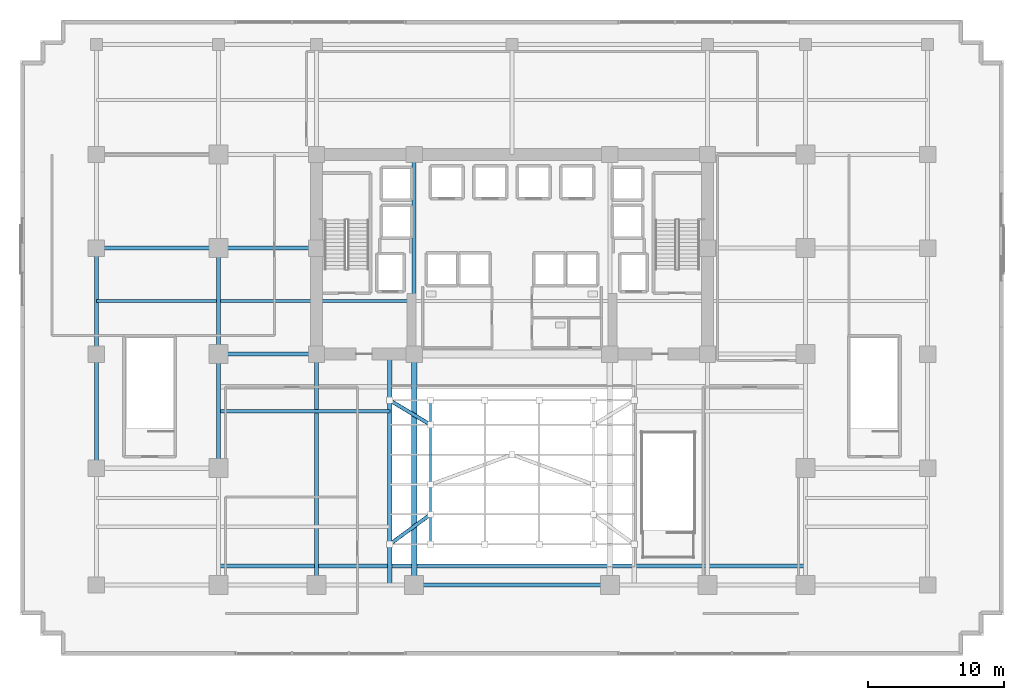
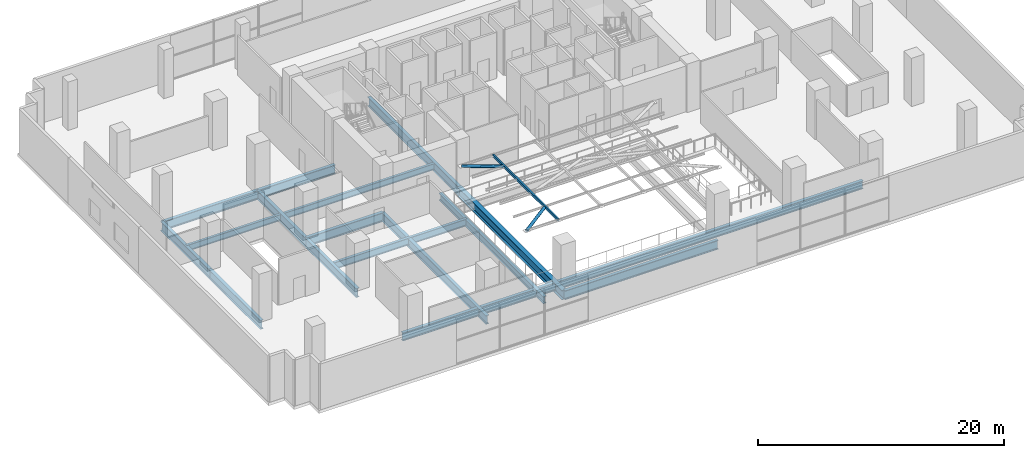
# One storey, part 4 of 22: 16 beams, 3 members.
"""IFC4 building model written with IfcOpenShell, lengths in metres."""

from ifc_helpers import new_model, si_unit, direction, frame, origin, origin_2d, place, context, subcontext, project, spatial, hollow_rectangle, hollow_circle, i_section, extrude, source, transform, mapped, material, material_profile, profile_set, type_object, element, save


model = new_model("IFC4")

# Units and contexts
model_context = context("Model", 3, precision=1e-05, world=origin(), true_north=direction((0.0, 1.0)))
body_context = subcontext(model_context, "Body", "Model", "MODEL_VIEW")
ifc_project = project(units=[si_unit("LENGTHUNIT", "METRE"), si_unit("AREAUNIT", "SQUARE_METRE"), si_unit("VOLUMEUNIT", "CUBIC_METRE"), si_unit("PLANEANGLEUNIT", "RADIAN"), si_unit("MASSUNIT", "GRAM", prefix="KILO")], contexts=[model_context])

# Site, building, storey
site_placement = place(None, origin())
site = spatial("IfcSite", under=ifc_project, at=site_placement, CompositionType="ELEMENT")
building_placement = place(site_placement, origin())
building = spatial("IfcBuilding", under=site, at=building_placement, Name="Zarnakvel Exchange Tower", CompositionType="ELEMENT")
storey_placement = place(building_placement, frame((0.0, 0.0, 22.60009765625)))
storey = spatial("IfcBuildingStorey", under=building, at=storey_placement, Name="L05", CompositionType="ELEMENT", Elevation=22.60009765625)

# Beams
ifc_material = material(Name="Steel S355", Category="steel")
ifc_material_profile_1 = material_profile(ifc_material, i_section(OverallWidth=0.255859375, OverallDepth=0.69287109375, WebThickness=0.014404296875, FlangeThickness=0.023681640625, FilletRadius=0.01513671875, at=origin_2d()))
ifc_profile_set_1 = profile_set([ifc_material_profile_1], Name="Steel S355")
beam_type_1 = type_object("IfcBeamType", Name="B-01", PredefinedType="JOIST", material=ifc_profile_set_1)
beam_1_placement = place(storey_placement, frame((-21.60009765625, -5.39990234375, -0.646484375), z_axis=(1.0, 0.0, 0.0), x_axis=(0.0, 1.0, 0.0)))
element("IfcBeam", 1, at=beam_1_placement, inside=storey, type_object=beam_type_1, Name="L05 Exchange Hall Atrium Trimmer West", PredefinedType="JOIST", context=body_context, shape_type="SweptSolid", body=[
    extrude(i_section(OverallWidth=0.255859375, OverallDepth=0.69287109375, WebThickness=0.014404296875, FlangeThickness=0.023681640625, FilletRadius=0.01513671875, at=origin_2d()), origin(), (0.0, 0.0, 1.0), 12.60009765625),
])
ifc_material_profile_2 = material_profile(ifc_material, i_section(OverallWidth=0.230224609375, OverallDepth=0.6171875, WebThickness=0.01318359375, FlangeThickness=0.022216796875, FilletRadius=0.0126953125, at=origin_2d()))
ifc_profile_set_2 = profile_set([ifc_material_profile_2], Name="Steel S355")
beam_type_2 = type_object("IfcBeamType", Name="B-02", PredefinedType="JOIST", material=ifc_profile_set_2)
beam_2_placement = place(storey_placement, frame((-30.60009765625, 2.699951171875, -0.608642578125), z_axis=(1.0, 0.0, 0.0), x_axis=(0.0, 1.0, 0.0)))
element("IfcBeam", 2, at=beam_2_placement, inside=storey, type_object=beam_type_2, Name="L05 Secondary Floor Joist", PredefinedType="JOIST", context=body_context, shape_type="SweptSolid", body=[
    extrude(i_section(OverallWidth=0.230224609375, OverallDepth=0.6171875, WebThickness=0.01318359375, FlangeThickness=0.022216796875, FilletRadius=0.0126953125, at=origin_2d()), origin(), (0.0, 0.0, 1.0), 8.85009765625),
])
beam_3_placement = place(storey_placement, frame((-21.449951171875, 2.699951171875, -0.608642578125), z_axis=(1.0, 0.0, 0.0), x_axis=(0.0, 1.0, 0.0)))
element("IfcBeam", 3, at=beam_3_placement, inside=storey, type_object=beam_type_2, Name="L05 Secondary Floor Joist", PredefinedType="JOIST", context=body_context, shape_type="SweptSolid", body=[
    extrude(i_section(OverallWidth=0.230224609375, OverallDepth=0.6171875, WebThickness=0.01318359375, FlangeThickness=0.022216796875, FilletRadius=0.0126953125, at=origin_2d()), origin(), (0.0, 0.0, 1.0), 14.099853515625),
])
ifc_material_profile_3 = material_profile(ifc_material, i_section(OverallWidth=0.300048828125, OverallDepth=0.89990234375, WebThickness=0.0185546875, FlangeThickness=0.034912109375, FilletRadius=0.030029296875, at=origin_2d()))
ifc_profile_set_3 = profile_set([ifc_material_profile_3], Name="Steel S355")
beam_type_3 = type_object("IfcBeamType", Name="G-01", PredefinedType="BEAM", material=ifc_profile_set_3)
beam_4_placement = place(storey_placement, frame((-7.199951171875, -18.199951171875, -0.75), z_axis=(1.0, 0.0, 0.0), x_axis=(0.0, 1.0, 0.0)))
element("IfcBeam", 4, at=beam_4_placement, inside=storey, type_object=beam_type_3, Name="L05 Primary E-W Girder Y=-18.2", PredefinedType="BEAM", context=body_context, shape_type="SweptSolid", body=[
    extrude(i_section(OverallWidth=0.300048828125, OverallDepth=0.89990234375, WebThickness=0.0185546875, FlangeThickness=0.034912109375, FilletRadius=0.030029296875, at=origin_2d()), origin(), (0.0, 0.0, 1.0), 14.39990234375),
])
beam_5_placement = place(storey_placement, frame((-21.60009765625, -1.199951171875, -0.75), z_axis=(1.0, 0.0, 0.0), x_axis=(0.0, 1.0, 0.0)))
element("IfcBeam", 5, at=beam_5_placement, inside=storey, type_object=beam_type_3, Name="L05 Primary E-W Girder Y=-1.2", PredefinedType="BEAM", context=body_context, shape_type="SweptSolid", body=[
    extrude(i_section(OverallWidth=0.300048828125, OverallDepth=0.89990234375, WebThickness=0.0185546875, FlangeThickness=0.034912109375, FilletRadius=0.030029296875, at=origin_2d()), origin(), (0.0, 0.0, 1.0), 7.2001953125),
])
beam_6_placement = place(storey_placement, frame((-30.60009765625, 6.60009765625, -0.75), z_axis=(1.0, 0.0, 0.0), x_axis=(0.0, 1.0, 0.0)))
element("IfcBeam", 6, at=beam_6_placement, inside=storey, type_object=beam_type_3, Name="L05 Primary E-W Girder Y=+6.6", PredefinedType="BEAM", context=body_context, shape_type="SweptSolid", body=[
    extrude(i_section(OverallWidth=0.300048828125, OverallDepth=0.89990234375, WebThickness=0.0185546875, FlangeThickness=0.034912109375, FilletRadius=0.030029296875, at=origin_2d()), origin(), (0.0, 0.0, 1.0), 9.0),
])
beam_7_placement = place(storey_placement, frame((-21.60009765625, 6.60009765625, -0.75), z_axis=(1.0, 0.0, 0.0), x_axis=(0.0, 1.0, 0.0)))
element("IfcBeam", 7, at=beam_7_placement, inside=storey, type_object=beam_type_3, Name="L05 Primary E-W Girder Y=+6.6", PredefinedType="BEAM", context=body_context, shape_type="SweptSolid", body=[
    extrude(i_section(OverallWidth=0.300048828125, OverallDepth=0.89990234375, WebThickness=0.0185546875, FlangeThickness=0.034912109375, FilletRadius=0.030029296875, at=origin_2d()), origin(), (0.0, 0.0, 1.0), 7.2001953125),
])
beam_8_placement = place(storey_placement, frame((-30.60009765625, -9.60009765625, -0.75), z_axis=(0.0, 1.0, 0.0), x_axis=(-1.0, 0.0, 0.0)))
element("IfcBeam", 8, at=beam_8_placement, inside=storey, type_object=beam_type_3, Name="L05 Primary N-S Girder X=-30.6", PredefinedType="BEAM", context=body_context, shape_type="SweptSolid", body=[
    extrude(i_section(OverallWidth=0.300048828125, OverallDepth=0.89990234375, WebThickness=0.0185546875, FlangeThickness=0.034912109375, FilletRadius=0.030029296875, at=origin_2d()), origin(), (0.0, 0.0, 1.0), 8.400146484375),
])
beam_9_placement = place(storey_placement, frame((-30.60009765625, -1.199951171875, -0.75), z_axis=(0.0, 1.0, 0.0), x_axis=(-1.0, 0.0, 0.0)))
element("IfcBeam", 9, at=beam_9_placement, inside=storey, type_object=beam_type_3, Name="L05 Primary N-S Girder X=-30.6", PredefinedType="BEAM", context=body_context, shape_type="SweptSolid", body=[
    extrude(i_section(OverallWidth=0.300048828125, OverallDepth=0.89990234375, WebThickness=0.0185546875, FlangeThickness=0.034912109375, FilletRadius=0.030029296875, at=origin_2d()), origin(), (0.0, 0.0, 1.0), 7.800048828125),
])
beam_10_placement = place(storey_placement, frame((-21.60009765625, -9.60009765625, -0.75), z_axis=(0.0, 1.0, 0.0), x_axis=(-1.0, 0.0, 0.0)))
element("IfcBeam", 10, at=beam_10_placement, inside=storey, type_object=beam_type_3, Name="L05 Primary N-S Girder X=-21.6", PredefinedType="BEAM", context=body_context, shape_type="SweptSolid", body=[
    extrude(i_section(OverallWidth=0.300048828125, OverallDepth=0.89990234375, WebThickness=0.0185546875, FlangeThickness=0.034912109375, FilletRadius=0.030029296875, at=origin_2d()), origin(), (0.0, 0.0, 1.0), 8.400146484375),
])
beam_11_placement = place(storey_placement, frame((-21.60009765625, -1.199951171875, -0.75), z_axis=(0.0, 1.0, 0.0), x_axis=(-1.0, 0.0, 0.0)))
element("IfcBeam", 11, at=beam_11_placement, inside=storey, type_object=beam_type_3, Name="L05 Primary N-S Girder X=-21.6", PredefinedType="BEAM", context=body_context, shape_type="SweptSolid", body=[
    extrude(i_section(OverallWidth=0.300048828125, OverallDepth=0.89990234375, WebThickness=0.0185546875, FlangeThickness=0.034912109375, FilletRadius=0.030029296875, at=origin_2d()), origin(), (0.0, 0.0, 1.0), 7.800048828125),
])
beam_12_placement = place(storey_placement, frame((-7.199951171875, -1.199951171875, -0.75), z_axis=(0.0, 1.0, 0.0), x_axis=(-1.0, 0.0, 0.0)))
element("IfcBeam", 12, at=beam_12_placement, inside=storey, type_object=beam_type_3, Name="L05 Primary N-S Girder X=-7.2", PredefinedType="BEAM", context=body_context, shape_type="SweptSolid", body=[
    extrude(i_section(OverallWidth=0.300048828125, OverallDepth=0.89990234375, WebThickness=0.0185546875, FlangeThickness=0.034912109375, FilletRadius=0.030029296875, at=origin_2d()), origin(), (0.0, 0.0, 1.0), 14.699951171875),
])
ifc_material_profile_4 = material_profile(ifc_material, i_section(OverallWidth=0.300048828125, OverallDepth=0.800048828125, WebThickness=0.017578125, FlangeThickness=0.032958984375, FilletRadius=0.030029296875, at=origin_2d()))
ifc_profile_set_4 = profile_set([ifc_material_profile_4], Name="Steel S355")
beam_type_4 = type_object("IfcBeamType", Name="G-02", PredefinedType="BEAM", material=ifc_profile_set_4)
beam_13_placement = place(storey_placement, frame((-21.60009765625, -16.800048828125, -0.7001953125), z_axis=(1.0, 0.0, 0.0), x_axis=(0.0, 1.0, 0.0)))
element("IfcBeam", 13, at=beam_13_placement, inside=storey, type_object=beam_type_4, Name="L05 Atrium South Edge Trimmer Girder", PredefinedType="BEAM", context=body_context, shape_type="SweptSolid", body=[
    extrude(i_section(OverallWidth=0.300048828125, OverallDepth=0.800048828125, WebThickness=0.017578125, FlangeThickness=0.032958984375, FilletRadius=0.030029296875, at=origin_2d()), origin(), (0.0, 0.0, 1.0), 43.2001953125),
])
ifc_material_profile_5 = material_profile(ifc_material, i_section(OverallWidth=0.300048828125, OverallDepth=0.699951171875, WebThickness=0.01708984375, FlangeThickness=0.031982421875, FilletRadius=0.027099609375, at=origin_2d()))
ifc_profile_set_5 = profile_set([ifc_material_profile_5], Name="Steel S355")
beam_type_5 = type_object("IfcBeamType", Name="G-03", PredefinedType="BEAM", material=ifc_profile_set_5)
beam_14_placement = place(storey_placement, frame((-9.0, -18.199951171875, -0.650146484375), z_axis=(0.0, 1.0, 0.0), x_axis=(-1.0, 0.0, 0.0)))
element("IfcBeam", 14, at=beam_14_placement, inside=storey, type_object=beam_type_5, Name="L05 Atrium West Edge Girder", PredefinedType="BEAM", context=body_context, shape_type="SweptSolid", body=[
    extrude(i_section(OverallWidth=0.300048828125, OverallDepth=0.699951171875, WebThickness=0.01708984375, FlangeThickness=0.031982421875, FilletRadius=0.027099609375, at=origin_2d()), origin(), (0.0, 0.0, 1.0), 17.0),
])
ifc_material_profile_6 = material_profile(ifc_material, i_section(OverallWidth=0.42041015625, OverallDepth=0.9208984375, WebThickness=0.021484375, FlangeThickness=0.03662109375, FilletRadius=0.024169921875, at=origin_2d()))
ifc_profile_set_6 = profile_set([ifc_material_profile_6], Name="Steel S355")
beam_type_6 = type_object("IfcBeamType", Name="TB-01", PredefinedType="T_BEAM", material=ifc_profile_set_6)
beam_15_placement = place(storey_placement, frame((-7.199951171875, -18.199951171875, -0.760498046875), z_axis=(0.0, 1.0, 0.0), x_axis=(-1.0, 0.0, 0.0)))
element("IfcBeam", 15, at=beam_15_placement, inside=storey, type_object=beam_type_6, Name="L05 Primary N-S Girder X=-7.2", PredefinedType="T_BEAM", context=body_context, shape_type="SweptSolid", body=[
    extrude(i_section(OverallWidth=0.42041015625, OverallDepth=0.9208984375, WebThickness=0.021484375, FlangeThickness=0.03662109375, FilletRadius=0.024169921875, at=origin_2d()), origin(), (0.0, 0.0, 1.0), 17.0),
])
ifc_material_profile_7 = material_profile(ifc_material, i_section(OverallWidth=0.293701171875, OverallDepth=0.850830078125, WebThickness=0.01611328125, FlangeThickness=0.02685546875, FilletRadius=0.017822265625, at=origin_2d()))
ifc_profile_set_7 = profile_set([ifc_material_profile_7], Name="Steel S355")
beam_type_7 = type_object("IfcBeamType", Name="TB-02", PredefinedType="T_BEAM", material=ifc_profile_set_7)
beam_16_placement = place(storey_placement, frame((-14.39990234375, -18.199951171875, -0.7255859375), z_axis=(0.0, 1.0, 0.0), x_axis=(-1.0, 0.0, 0.0)))
element("IfcBeam", 16, at=beam_16_placement, inside=storey, type_object=beam_type_7, Name="L05 Primary N-S Girder X=-14.4", PredefinedType="T_BEAM", context=body_context, shape_type="SweptSolid", body=[
    extrude(i_section(OverallWidth=0.293701171875, OverallDepth=0.850830078125, WebThickness=0.01611328125, FlangeThickness=0.02685546875, FilletRadius=0.017822265625, at=origin_2d()), origin(), (0.0, 0.0, 1.0), 17.0),
])

# Members
ifc_material_profile_8 = material_profile(ifc_material, hollow_rectangle(XDim=0.14990234375, YDim=0.25, WallThickness=0.010009765625, at=origin_2d()))
ifc_profile_set_8 = profile_set([ifc_material_profile_8], Name="Steel S355")
member_type_1 = type_object("IfcMemberType", Name="PR-03", PredefinedType="PURLIN", material=ifc_profile_set_8)
shared_shape_1 = source(origin(), body_context, "Body", "SweptSolid", [
    extrude(hollow_rectangle(XDim=0.14990234375, YDim=0.25, WallThickness=0.010009765625, at=origin_2d()), origin(), (0.0, 0.0, 1.0), 10.599853515625),
])
member_1_placement = place(storey_placement, frame((-6.0, -15.199951171875, 4.40478515625), z_axis=(0.0, 1.0, 0.0), x_axis=(-1.0, 0.0, 0.0)))
element("IfcMember", 17, at=member_1_placement, inside=storey, type_object=member_type_1, Name="L05 Atrium Secondary Purlin PR-03 #1", PredefinedType="PURLIN", context=body_context, shape_type="MappedRepresentation", body=[
    mapped(shared_shape_1, transform((0.0, 0.0, 0.0), x_axis=(1.0, 0.0, 0.0), y_axis=(0.0, 1.0, 0.0), z_axis=(0.0, 0.0, 1.0), scale=1.0)),
])
ifc_material_profile_9 = material_profile(ifc_material, hollow_circle(Radius=0.136474609375, WallThickness=0.012451171875, at=origin_2d()))
ifc_profile_set_9 = profile_set([ifc_material_profile_9], Name="Steel S355")
member_type_2 = type_object("IfcMemberType", Name="PR-04", PredefinedType="BRACE", material=ifc_profile_set_9)
shared_shape_2 = source(origin(), body_context, "Body", "SweptSolid", [
    extrude(hollow_circle(Radius=0.136474609375, WallThickness=0.012451171875, at=origin_2d()), origin(), (0.0, 0.0, 1.0), 3.72021484375),
])
member_2_placement = place(storey_placement, frame((-9.0, -15.199951171875, 4.389892578125), z_axis=(0.80641125493, 0.591355128432, 0.0), x_axis=(-0.591355128432, 0.80641125493, 0.0)))
element("IfcMember", 18, at=member_2_placement, inside=storey, type_object=member_type_2, Name="L05 Atrium Canopy Wind Brace #1", PredefinedType="BRACE", context=body_context, shape_type="MappedRepresentation", body=[
    mapped(shared_shape_2, transform((0.0, 0.0, 0.0), x_axis=(1.0, 0.0, 0.0), y_axis=(0.0, 1.0, 0.0), z_axis=(0.0, 0.0, 1.0), scale=1.0)),
])
shared_shape_3 = source(origin(), body_context, "Body", "SweptSolid", [
    extrude(hollow_circle(Radius=0.136474609375, WallThickness=0.012451171875, at=origin_2d()), origin(), (0.0, 0.0, 1.0), 3.49853515625),
])
member_3_placement = place(storey_placement, frame((-9.0, -4.60009765625, 4.389892578125), z_axis=(0.857517554715, -0.514454704863, 0.0), x_axis=(0.514454704863, 0.857517554715, 0.0)))
element("IfcMember", 19, at=member_3_placement, inside=storey, type_object=member_type_2, Name="L05 Atrium Canopy Wind Brace #3", PredefinedType="BRACE", context=body_context, shape_type="MappedRepresentation", body=[
    mapped(shared_shape_3, transform((0.0, 0.0, 0.0), x_axis=(1.0, 0.0, 0.0), y_axis=(0.0, 1.0, 0.0), z_axis=(0.0, 0.0, 1.0), scale=1.0)),
])

save(model, "model.ifc")
